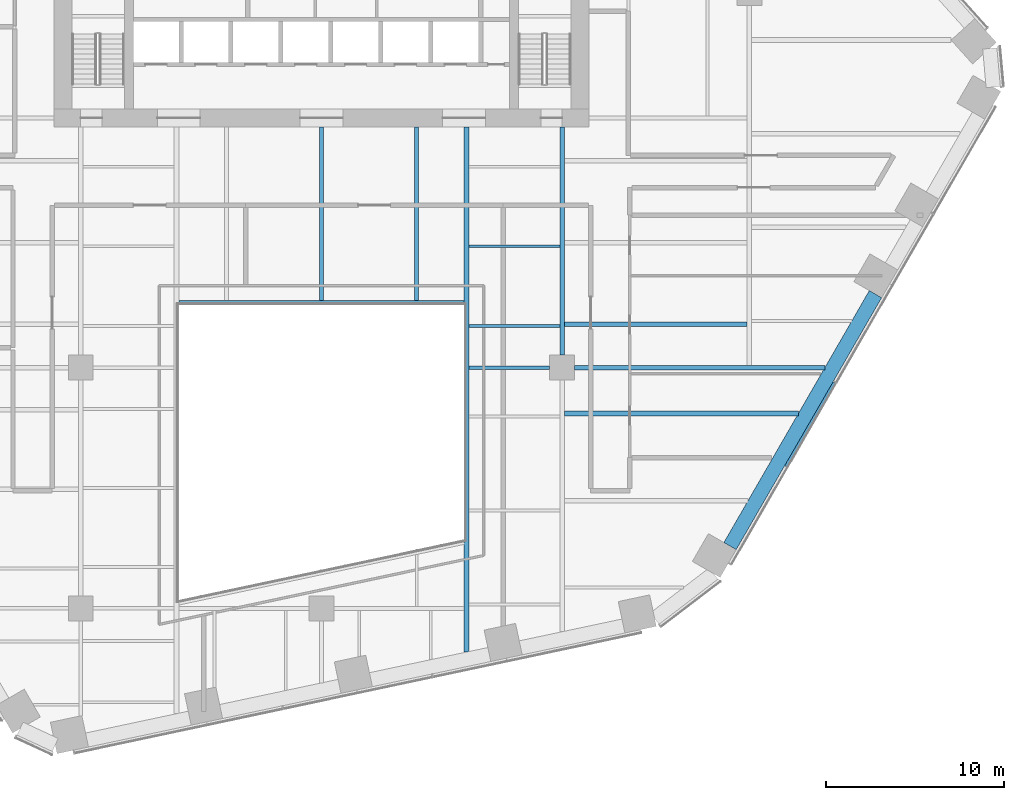
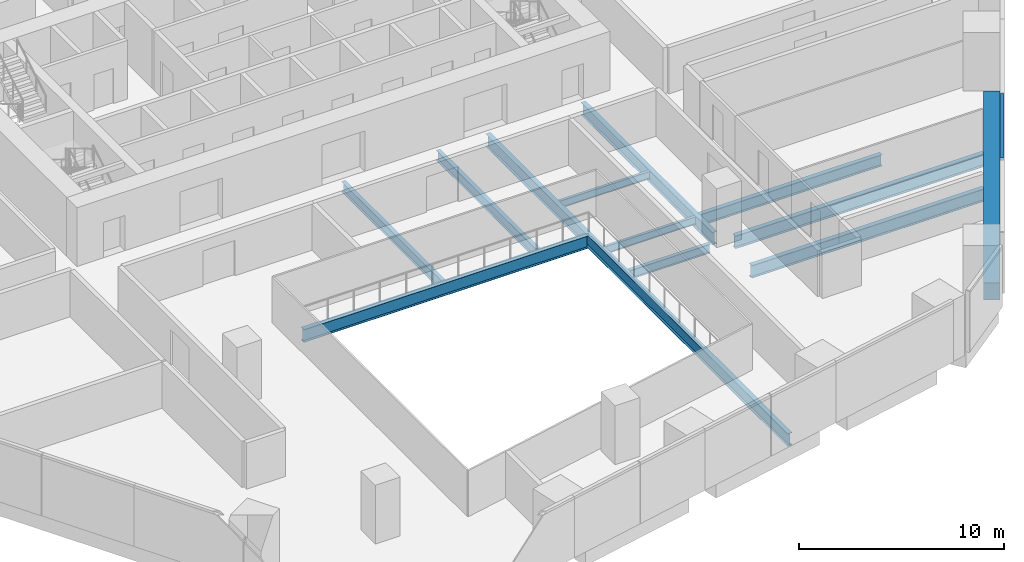
# One storey, part 6 of 20: 12 beams, 1 member, 1 element without a shape of its own.
"""IFC4 building model written with IfcOpenShell, lengths in metres."""

from ifc_helpers import new_model, si_unit, direction, frame, origin, origin_2d, place, context, subcontext, project, spatial, rectangle, i_section, extrude, material, layer, layer_set, material_profile, profile_set, type_object, element, aggregate, save


model = new_model("IFC4")

# Units and contexts
model_context = context("Model", 3, precision=1e-05, world=origin(), true_north=direction((0.0, 1.0)))
body_context = subcontext(model_context, "Body", "Model", "MODEL_VIEW")
ifc_project = project(units=[si_unit("LENGTHUNIT", "METRE"), si_unit("AREAUNIT", "SQUARE_METRE"), si_unit("VOLUMEUNIT", "CUBIC_METRE"), si_unit("PLANEANGLEUNIT", "RADIAN"), si_unit("MASSUNIT", "GRAM", prefix="KILO")], contexts=[model_context])

# Site, building, storey
site_placement = place(None, origin())
site = spatial("IfcSite", under=ifc_project, at=site_placement, CompositionType="ELEMENT")
building_placement = place(site_placement, origin())
building = spatial("IfcBuilding", under=site, at=building_placement, Name="Isthmus Gate Tower", CompositionType="ELEMENT")
storey_placement = place(building_placement, frame((0.0, 0.0, 57.89990234375)))
storey = spatial("IfcBuildingStorey", under=building, at=storey_placement, Name="L12", CompositionType="ELEMENT", Elevation=57.89990234375)

# Curtain wall, member
ifc_material_1 = material(Name="Aluminium, pale champagne anodised", Category="aluminium")
ifc_layer = layer(ifc_material_1, 0.199951171875)
ifc_layer_set = layer_set([ifc_layer], Name="CW-1 UNITISED CURTAIN WALL 200 DEEP")
curtain_wall_type = type_object("IfcCurtainWallType", Name="CW-1 UNITISED CURTAIN WALL 200 DEEP", PredefinedType="NOTDEFINED", material=ifc_layer_set)
curtain_wall_placement = place(storey_placement, origin())
curtain_wall = element("IfcCurtainWall", 1, at=curtain_wall_placement, inside=storey, type_object=curtain_wall_type, Name="CW-1 SE L12", PredefinedType="NOTDEFINED")
ifc_material_2 = material(Name="Aluminium, pale champagne anodised", Category="aluminium")
ifc_material_profile_1 = material_profile(ifc_material_2, rectangle(XDim=0.199951171875, YDim=0.14990234375, at=origin_2d()), Name="200x150")
ifc_profile_set_1 = profile_set([ifc_material_profile_1], Name="Aluminium, pale champagne anodised")
member_type = type_object("IfcMemberType", Name="CW-1 TRANSOM 200 X 150", PredefinedType="USERDEFINED", material=ifc_profile_set_1)
member_placement = place(storey_placement, frame((26.06787109375, -19.04931640625, 3.5751953125), z_axis=(0.499991872758, 0.866030095999, 0.0), x_axis=(-0.866030095999, 0.499991872758, 0.0)))
member = element("IfcMember", 2, at=member_placement, type_object=member_type, Name="CW-1 transom", ObjectType="TRANSOM", PredefinedType="USERDEFINED", context=body_context, shape_type="SweptSolid", body=[
    extrude(rectangle(XDim=0.199951171875, YDim=0.14990234375, at=origin_2d()), origin(), (0.0, 0.0, 1.0), 5.4384765625),
])
aggregate(curtain_wall, [member])

# Beams
ifc_material_3 = material(Name="Concrete f'c 70 MPa", Category="concrete")
ifc_material_profile_2 = material_profile(ifc_material_3, rectangle(XDim=0.800048828125, YDim=1.0, at=origin_2d()), Name="RC 800X1000")
ifc_profile_set_2 = profile_set([ifc_material_profile_2], Name="Concrete f'c 70 MPa")
beam_type_1 = type_object("IfcBeamType", Name="RC SPANDREL 800 X 1000", PredefinedType="SPANDREL", material=ifc_profile_set_2)
beam_1_placement = place(storey_placement, frame((31.0732421875, -9.37939453125, -0.5), z_axis=(-0.499991872758, -0.866030095999, 0.0), x_axis=(0.866030095999, -0.499991872758, 0.0)))
element("IfcBeam", 3, at=beam_1_placement, inside=storey, type_object=beam_type_1, Name="str-spandrel-L12-08", PredefinedType="SPANDREL", context=body_context, shape_type="SweptSolid", body=[
    extrude(rectangle(XDim=0.800048828125, YDim=1.0, at=origin_2d()), origin(), (0.0, 0.0, 1.0), 16.315673828125),
])
ifc_material_4 = material(Name="Structural steel ASTM A992 Gr 50", Category="steel")
ifc_material_profile_3 = material_profile(ifc_material_4, i_section(OverallWidth=0.15234375, OverallDepth=0.45068359375, WebThickness=0.0078125, FlangeThickness=0.010986328125, at=origin_2d()), Name="W18X35")
ifc_profile_set_3 = profile_set([ifc_material_profile_3], Name="Structural steel ASTM A992 Gr 50")
beam_type_2 = type_object("IfcBeamType", Name="STEEL FLOOR BEAM W18X35", PredefinedType="JOIST", material=ifc_profile_set_3)
for number, where, z_axis, x_axis, name in (
    (4, (8.263427734375, -11.16259765625, -0.375244140625), (1.0, 0.0, 0.0), (0.0, 1.0, 0.0), "str-beam-L12-23-00"),
    (5, (8.263427734375, -6.697509765625, -0.375244140625), (1.0, 0.0, 0.0), (0.0, 1.0, 0.0), "str-beam-L12-23-01"),
):
    element("IfcBeam", number, at=place(storey_placement, frame(where, z_axis=z_axis, x_axis=x_axis)), inside=storey, type_object=beam_type_2, Name=name, PredefinedType="JOIST", context=body_context, shape_type="SweptSolid", body=[
        extrude(i_section(OverallWidth=0.15234375, OverallDepth=0.45068359375, WebThickness=0.0078125, FlangeThickness=0.010986328125, at=origin_2d()), origin(), (0.0, 0.0, 1.0), 5.104736328125),
    ])
ifc_material_5 = material(Name="Structural steel ASTM A992 Gr 50", Category="steel")
ifc_material_profile_4 = material_profile(ifc_material_5, i_section(OverallWidth=0.228515625, OverallDepth=0.603271484375, WebThickness=0.010986328125, FlangeThickness=0.014404296875, at=origin_2d()), Name="W24X68")
ifc_profile_set_4 = profile_set([ifc_material_profile_4], Name="Structural steel ASTM A992 Gr 50")
beam_type_3 = type_object("IfcBeamType", Name="STEEL FLOOR BEAM W24X68", PredefinedType="JOIST", material=ifc_profile_set_4)
for number, where, z_axis, x_axis, name in (
    (6, (0.0, -9.7333984375, -0.451416015625), (0.0, 1.0, 0.0), (-1.0, 0.0, 0.0), "str-beam-L12-16-01"),
    (7, (5.333251953125, -9.7333984375, -0.451416015625), (0.0, 1.0, 0.0), (-1.0, 0.0, 0.0), "str-beam-L12-16-02"),
):
    element("IfcBeam", number, at=place(storey_placement, frame(where, z_axis=z_axis, x_axis=x_axis)), inside=storey, type_object=beam_type_3, Name=name, PredefinedType="JOIST", context=body_context, shape_type="SweptSolid", body=[
        extrude(i_section(OverallWidth=0.228515625, OverallDepth=0.603271484375, WebThickness=0.010986328125, FlangeThickness=0.014404296875, at=origin_2d()), origin(), (0.0, 0.0, 1.0), 9.7333984375),
    ])
ifc_material_6 = material(Name="Structural steel ASTM A992 Gr 50", Category="steel")
ifc_material_profile_5 = material_profile(ifc_material_6, i_section(OverallWidth=0.25390625, OverallDepth=0.679443359375, WebThickness=0.010986328125, FlangeThickness=0.015869140625, at=origin_2d()), Name="W27X84")
ifc_profile_set_5 = profile_set([ifc_material_profile_5], Name="Structural steel ASTM A992 Gr 50")
beam_type_4 = type_object("IfcBeamType", Name="STEEL FLOOR BEAM W27X84", PredefinedType="JOIST", material=ifc_profile_set_5)
beam_2_placement = place(storey_placement, frame((13.6318359375, -11.07470703125, -0.489501953125), z_axis=(1.0, 0.0, 0.0), x_axis=(0.0, 1.0, 0.0)))
element("IfcBeam", 8, at=beam_2_placement, inside=storey, type_object=beam_type_4, Name="str-beam-L12-27-00", PredefinedType="JOIST", context=body_context, shape_type="SweptSolid", body=[
    extrude(i_section(OverallWidth=0.25390625, OverallDepth=0.679443359375, WebThickness=0.010986328125, FlangeThickness=0.015869140625, at=origin_2d()), origin(), (0.0, 0.0, 1.0), 10.23486328125),
])
ifc_material_7 = material(Name="Structural steel ASTM A992 Gr 50", Category="steel")
ifc_material_profile_6 = material_profile(ifc_material_7, i_section(OverallWidth=0.263427734375, OverallDepth=0.749267578125, WebThickness=0.0126953125, FlangeThickness=0.015869140625, at=origin_2d()), Name="W30X90")
ifc_profile_set_6 = profile_set([ifc_material_profile_6], Name="Structural steel ASTM A992 Gr 50")
beam_type_5 = type_object("IfcBeamType", Name="STEEL FLOOR BEAM W30X90", PredefinedType="JOIST", material=ifc_profile_set_6)
beam_3_placement = place(storey_placement, frame((13.63330078125, -16.0751953125, -0.524658203125), z_axis=(1.0, 0.0, 0.0), x_axis=(0.0, 1.0, 0.0)))
element("IfcBeam", 9, at=beam_3_placement, inside=storey, type_object=beam_type_5, Name="str-beam-L12-28-02", PredefinedType="JOIST", context=body_context, shape_type="SweptSolid", body=[
    extrude(i_section(OverallWidth=0.263427734375, OverallDepth=0.749267578125, WebThickness=0.0126953125, FlangeThickness=0.015869140625, at=origin_2d()), origin(), (0.0, 0.0, 1.0), 13.1123046875),
])
ifc_material_8 = material(Name="Structural steel ASTM A992 Gr 50", Category="steel")
ifc_material_profile_7 = material_profile(ifc_material_8, i_section(OverallWidth=0.20947265625, OverallDepth=0.533447265625, WebThickness=0.009521484375, FlangeThickness=0.015869140625, at=origin_2d()), Name="W21X62")
ifc_profile_set_7 = profile_set([ifc_material_profile_7], Name="Structural steel ASTM A992 Gr 50")
beam_type_6 = type_object("IfcBeamType", Name="STEEL GIRDER W21X62", PredefinedType="BEAM", material=ifc_profile_set_7)
beam_4_placement = place(storey_placement, frame((8.263427734375, -13.5, -0.41650390625), z_axis=(1.0, 0.0, 0.0), x_axis=(0.0, 1.0, 0.0)))
element("IfcBeam", 10, at=beam_4_placement, inside=storey, type_object=beam_type_6, Name="str-girder-L12-07", PredefinedType="BEAM", context=body_context, shape_type="SweptSolid", body=[
    extrude(i_section(OverallWidth=0.20947265625, OverallDepth=0.533447265625, WebThickness=0.009521484375, FlangeThickness=0.015869140625, at=origin_2d()), origin(), (0.0, 0.0, 1.0), 4.53662109375),
])
ifc_material_9 = material(Name="Structural steel ASTM A992 Gr 50", Category="steel")
ifc_material_profile_8 = material_profile(ifc_material_9, i_section(OverallWidth=0.2666015625, OverallDepth=0.7587890625, WebThickness=0.014404296875, FlangeThickness=0.01904296875, at=origin_2d()), Name="W30X108")
ifc_profile_set_8 = profile_set([ifc_material_profile_8], Name="Structural steel ASTM A992 Gr 50")
beam_type_7 = type_object("IfcBeamType", Name="STEEL GIRDER W30X108", PredefinedType="BEAM", material=ifc_profile_set_8)
beam_5_placement = place(storey_placement, frame((14.199951171875, -13.5, -0.529296875), z_axis=(1.0, 0.0, 0.0), x_axis=(0.0, 1.0, 0.0)))
element("IfcBeam", 11, at=beam_5_placement, inside=storey, type_object=beam_type_7, Name="str-girder-L12-08", PredefinedType="BEAM", context=body_context, shape_type="SweptSolid", body=[
    extrude(i_section(OverallWidth=0.2666015625, OverallDepth=0.7587890625, WebThickness=0.014404296875, FlangeThickness=0.01904296875, at=origin_2d()), origin(), (0.0, 0.0, 1.0), 14.032470703125),
])
ifc_material_10 = material(Name="Structural steel ASTM A992 Gr 50", Category="steel")
ifc_material_profile_9 = material_profile(ifc_material_10, i_section(OverallWidth=0.263427734375, OverallDepth=0.749267578125, WebThickness=0.0126953125, FlangeThickness=0.015869140625, at=origin_2d()), Name="W30X90")
ifc_profile_set_9 = profile_set([ifc_material_profile_9], Name="Structural steel ASTM A992 Gr 50")
beam_type_8 = type_object("IfcBeamType", Name="STEEL GIRDER W30X90", PredefinedType="BEAM", material=ifc_profile_set_9)
beam_6_placement = place(storey_placement, frame((13.5, -12.800048828125, -0.524658203125), z_axis=(0.0, 1.0, 0.0), x_axis=(-1.0, 0.0, 0.0)))
element("IfcBeam", 12, at=beam_6_placement, inside=storey, type_object=beam_type_8, Name="str-girder-L12-32", PredefinedType="BEAM", context=body_context, shape_type="SweptSolid", body=[
    extrude(i_section(OverallWidth=0.263427734375, OverallDepth=0.749267578125, WebThickness=0.0126953125, FlangeThickness=0.015869140625, at=origin_2d()), origin(), (0.0, 0.0, 1.0), 12.800048828125),
])
ifc_material_11 = material(Name="Structural steel ASTM A992 Gr 50", Category="steel")
ifc_material_profile_10 = material_profile(ifc_material_11, i_section(OverallWidth=0.2666015625, OverallDepth=0.7587890625, WebThickness=0.014404296875, FlangeThickness=0.01904296875, at=origin_2d()), Name="W30X108")
ifc_profile_set_10 = profile_set([ifc_material_profile_10], Name="Structural steel ASTM A992 Gr 50")
beam_type_9 = type_object("IfcBeamType", Name="STEEL TRIMMER W30X108", PredefinedType="BEAM", material=ifc_profile_set_10)
beam_7_placement = place(storey_placement, frame((8.0, -9.86669921875, -0.529296875), z_axis=(-1.0, 0.0, 0.0), x_axis=(0.0, -1.0, 0.0)))
element("IfcBeam", 13, at=beam_7_placement, inside=storey, type_object=beam_type_9, Name="str-trimmer-L12-04", PredefinedType="BEAM", context=body_context, shape_type="SweptSolid", body=[
    extrude(i_section(OverallWidth=0.2666015625, OverallDepth=0.7587890625, WebThickness=0.014404296875, FlangeThickness=0.01904296875, at=origin_2d()), origin(), (0.0, 0.0, 1.0), 16.0),
])
ifc_material_12 = material(Name="Structural steel ASTM A992 Gr 50", Category="steel")
ifc_material_profile_11 = material_profile(ifc_material_12, i_section(OverallWidth=0.263427734375, OverallDepth=0.749267578125, WebThickness=0.0126953125, FlangeThickness=0.015869140625, at=origin_2d()), Name="W30X90")
ifc_profile_set_11 = profile_set([ifc_material_profile_11], Name="Structural steel ASTM A992 Gr 50")
beam_type_10 = type_object("IfcBeamType", Name="STEEL TRIMMER W30X90", PredefinedType="BEAM", material=ifc_profile_set_11)
beam_8_placement = place(storey_placement, frame((8.1318359375, -29.45361328125, -0.524658203125), z_axis=(0.0, 1.0, 0.0), x_axis=(-1.0, 0.0, 0.0)))
element("IfcBeam", 14, at=beam_8_placement, inside=storey, type_object=beam_type_10, Name="str-trimmer-L12-01", PredefinedType="BEAM", context=body_context, shape_type="SweptSolid", body=[
    extrude(i_section(OverallWidth=0.263427734375, OverallDepth=0.749267578125, WebThickness=0.0126953125, FlangeThickness=0.015869140625, at=origin_2d()), origin(), (0.0, 0.0, 1.0), 29.45361328125),
])

save(model, "model.ifc")
